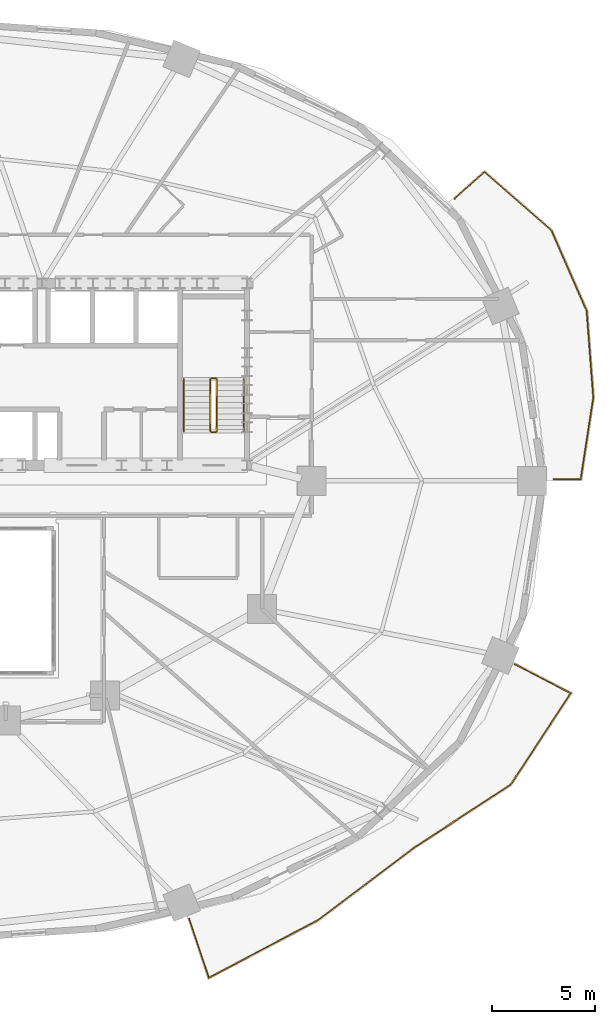
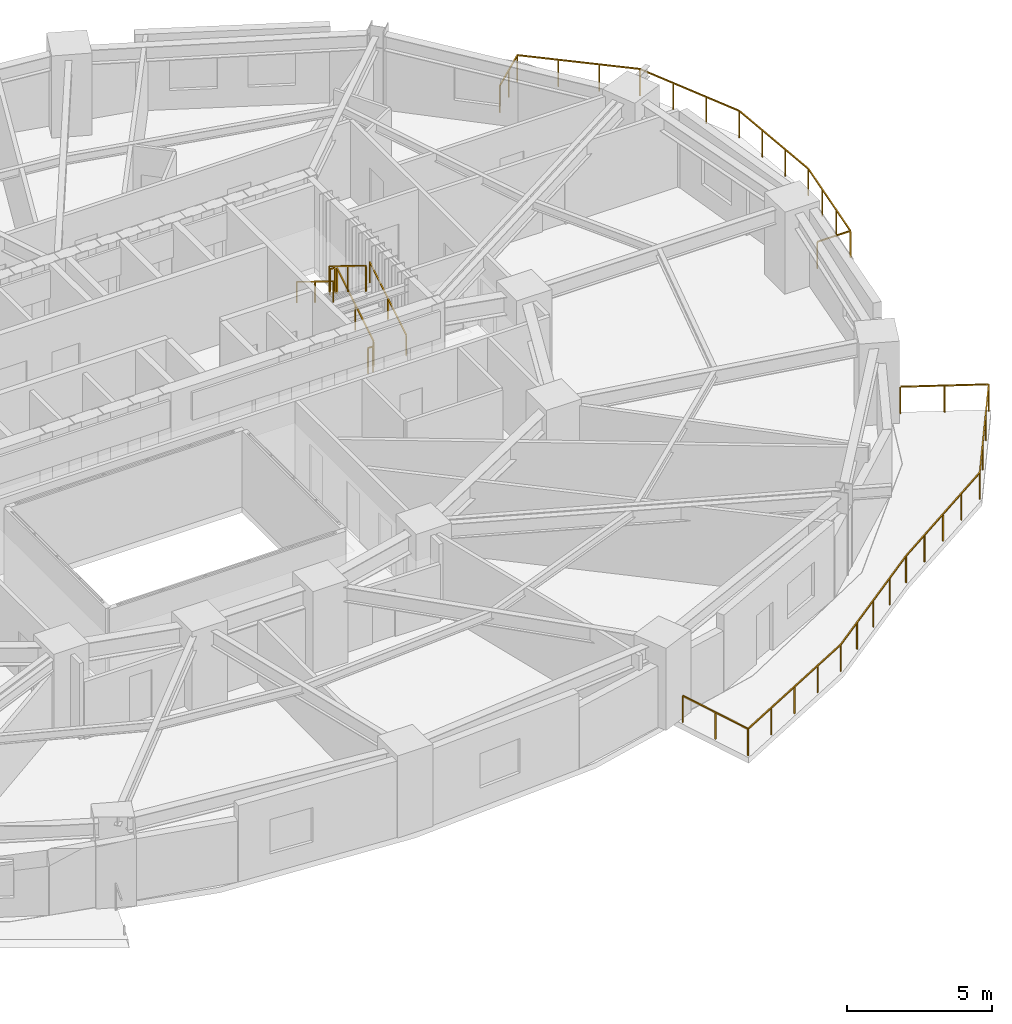
# One storey, part 15 of 15: 8 railings.
"""IFC4 building model written with IfcOpenShell, lengths in metres."""

from ifc_helpers import new_model, si_unit, direction, frame, origin, origin_2d, place, context, subcontext, project, spatial, rectangle, extrude, material, type_object, element, save


model = new_model("IFC4")

# Units and contexts
model_context = context("Model", 3, precision=1e-05, world=origin(), true_north=direction((0.0, 1.0)))
body_context = subcontext(model_context, "Body", "Model", "MODEL_VIEW")
ifc_project = project(units=[si_unit("LENGTHUNIT", "METRE"), si_unit("AREAUNIT", "SQUARE_METRE"), si_unit("VOLUMEUNIT", "CUBIC_METRE"), si_unit("PLANEANGLEUNIT", "RADIAN"), si_unit("MASSUNIT", "GRAM", prefix="KILO")], contexts=[model_context])

# Site, building, storey
site_placement = place(None, origin())
site = spatial("IfcSite", under=ifc_project, at=site_placement, CompositionType="ELEMENT")
building_placement = place(site_placement, origin())
building = spatial("IfcBuilding", under=site, at=building_placement, Name="Haldorwick Loom Tower", CompositionType="ELEMENT")
storey_placement = place(building_placement, frame((0.0, 0.0, 92.14990234375)))
storey = spatial("IfcBuildingStorey", under=building, at=storey_placement, Name="L24", CompositionType="ELEMENT", Elevation=92.14990234375)

# Railings
ifc_material_1 = material(Name="Galvanized Steel CSA G40.21 350W", Category="steel")
railing_type_1 = type_object("IfcRailingType", Name="ARC-RLG-BAL115", PredefinedType="BALUSTRADE", material=ifc_material_1)
railing_1_placement = place(storey_placement, frame((63.02685546875, 17.119384765625, 0.0)))
element("IfcRailing", 1, at=railing_1_placement, inside=storey, type_object=railing_type_1, Name="L24 Outdoor Terrace Guardrail SLB-L24-BAL_SE-1", PredefinedType="BALUSTRADE", context=body_context, shape_type="SweptSolid", body=[
    extrude(rectangle(XDim=0.048095703125, YDim=0.048095703125, at=origin_2d()), frame((0.0, 0.0, 1.1259765625), z_axis=(0.888432989671, -0.459006342945, 0.0), x_axis=(0.459006342945, 0.888432989671, 0.0)), (0.0, 0.0, 1.0), 3.045654296875),
    extrude(rectangle(XDim=0.048095703125, YDim=0.048095703125, at=origin_2d()), frame((2.705810546875, -1.39794921875, 1.1259765625), z_axis=(-0.549470137469, -0.835513355985, 0.0), x_axis=(0.835513355985, -0.549470137469, 0.0)), (0.0, 0.0, 1.0), 5.30029296875),
    extrude(rectangle(XDim=0.048095703125, YDim=0.048095703125, at=origin_2d()), frame((-0.20654296875, -5.826416015625, 1.1259765625), z_axis=(-0.837736975185, -0.546073951409, 0.0), x_axis=(0.546073951409, -0.837736975185, 0.0)), (0.0, 0.0, 1.0), 5.610107421875),
    extrude(rectangle(XDim=0.048095703125, YDim=0.048095703125, at=origin_2d()), frame((-4.90625, -8.889892578125, 1.1259765625), z_axis=(-0.82530726125, -0.564683915592, 0.0), x_axis=(0.564683915592, -0.82530726125, 0.0)), (0.0, 0.0, 1.0), 0.005615234375),
    extrude(rectangle(XDim=0.048095703125, YDim=0.048095703125, at=origin_2d()), frame((-4.910888671875, -8.89306640625, 1.1259765625), z_axis=(-0.797500988001, -0.603317639504, 0.0), x_axis=(0.603317639504, -0.797500988001, 0.0)), (0.0, 0.0, 1.0), 5.772216796875),
    extrude(rectangle(XDim=0.048095703125, YDim=0.048095703125, at=origin_2d()), frame((-9.51416015625, -12.37548828125, 1.1259765625), z_axis=(-0.884874827722, -0.465828873369, 0.0), x_axis=(0.465828873369, -0.884874827722, 0.0)), (0.0, 0.0, 1.0), 5.98046875),
    extrude(rectangle(XDim=0.048095703125, YDim=0.048095703125, at=origin_2d()), frame((-14.80615234375, -15.161376953125, 1.1259765625), z_axis=(-0.316447343212, 0.948610077415, 0.0), x_axis=(-0.948610077415, -0.316447343212, 0.0)), (0.0, 0.0, 1.0), 3.001953125),
    extrude(rectangle(XDim=0.0419921875, YDim=0.0419921875, at=origin_2d()), origin(), (0.0, 0.0, 1.0), 1.101806640625),
    extrude(rectangle(XDim=0.0419921875, YDim=0.0419921875, at=origin_2d()), frame((1.35302734375, -0.698974609375, 0.0)), (0.0, 0.0, 1.0), 1.101806640625),
    extrude(rectangle(XDim=0.0419921875, YDim=0.0419921875, at=origin_2d()), frame((2.705810546875, -1.39794921875, 0.0)), (0.0, 0.0, 1.0), 1.101806640625),
    extrude(rectangle(XDim=0.0419921875, YDim=0.0419921875, at=origin_2d()), frame((1.735107421875, -2.8740234375, 0.0)), (0.0, 0.0, 1.0), 1.101806640625),
    extrude(rectangle(XDim=0.0419921875, YDim=0.0419921875, at=origin_2d()), frame((0.76416015625, -4.350341796875, 0.0)), (0.0, 0.0, 1.0), 1.101806640625),
    extrude(rectangle(XDim=0.0419921875, YDim=0.0419921875, at=origin_2d()), frame((-0.20654296875, -5.826416015625, 0.0)), (0.0, 0.0, 1.0), 1.101806640625),
    extrude(rectangle(XDim=0.0419921875, YDim=0.0419921875, at=origin_2d()), frame((-1.38134765625, -6.59228515625, 0.0)), (0.0, 0.0, 1.0), 1.101806640625),
    extrude(rectangle(XDim=0.0419921875, YDim=0.0419921875, at=origin_2d()), frame((-2.556396484375, -7.358154296875, 0.0)), (0.0, 0.0, 1.0), 1.101806640625),
    extrude(rectangle(XDim=0.0419921875, YDim=0.0419921875, at=origin_2d()), frame((-3.7314453125, -8.1240234375, 0.0)), (0.0, 0.0, 1.0), 1.101806640625),
    extrude(rectangle(XDim=0.0419921875, YDim=0.0419921875, at=origin_2d()), frame((-4.90625, -8.889892578125, 0.0)), (0.0, 0.0, 1.0), 1.101806640625),
    extrude(rectangle(XDim=0.0419921875, YDim=0.0419921875, at=origin_2d()), frame((-6.061767578125, -9.763671875, 0.0)), (0.0, 0.0, 1.0), 1.101806640625),
    extrude(rectangle(XDim=0.0419921875, YDim=0.0419921875, at=origin_2d()), frame((-7.21240234375, -10.63427734375, 0.0)), (0.0, 0.0, 1.0), 1.101806640625),
    extrude(rectangle(XDim=0.0419921875, YDim=0.0419921875, at=origin_2d()), frame((-8.36328125, -11.5048828125, 0.0)), (0.0, 0.0, 1.0), 1.101806640625),
    extrude(rectangle(XDim=0.0419921875, YDim=0.0419921875, at=origin_2d()), frame((-9.51416015625, -12.37548828125, 0.0)), (0.0, 0.0, 1.0), 1.101806640625),
    extrude(rectangle(XDim=0.0419921875, YDim=0.0419921875, at=origin_2d()), frame((-10.837158203125, -13.072021484375, 0.0)), (0.0, 0.0, 1.0), 1.101806640625),
    extrude(rectangle(XDim=0.0419921875, YDim=0.0419921875, at=origin_2d()), frame((-12.16015625, -13.7685546875, 0.0)), (0.0, 0.0, 1.0), 1.101806640625),
    extrude(rectangle(XDim=0.0419921875, YDim=0.0419921875, at=origin_2d()), frame((-13.483154296875, -14.46484375, 0.0)), (0.0, 0.0, 1.0), 1.101806640625),
    extrude(rectangle(XDim=0.0419921875, YDim=0.0419921875, at=origin_2d()), frame((-14.80615234375, -15.161376953125, 0.0)), (0.0, 0.0, 1.0), 1.101806640625),
    extrude(rectangle(XDim=0.0419921875, YDim=0.0419921875, at=origin_2d()), frame((-15.28125, -13.737548828125, 0.0)), (0.0, 0.0, 1.0), 1.101806640625),
    extrude(rectangle(XDim=0.0419921875, YDim=0.0419921875, at=origin_2d()), frame((-15.756103515625, -12.313720703125, 0.0)), (0.0, 0.0, 1.0), 1.101806640625),
])
railing_2_placement = place(storey_placement, frame((60.1171875, 39.655029296875, 0.0)))
element("IfcRailing", 2, at=railing_2_placement, inside=storey, type_object=railing_type_1, Name="L24 Outdoor Terrace Guardrail SLB-L24-BAL_ENE-1", PredefinedType="BALUSTRADE", context=body_context, shape_type="SweptSolid", body=[
    extrude(rectangle(XDim=0.048095703125, YDim=0.048095703125, at=origin_2d()), frame((0.0, 0.0, 1.1259765625), z_axis=(0.74583472126, 0.666131044588, 0.0), x_axis=(-0.666131044588, 0.74583472126, 0.0)), (0.0, 0.0, 1.0), 1.935791015625),
    extrude(rectangle(XDim=0.048095703125, YDim=0.048095703125, at=origin_2d()), frame((1.44384765625, 1.28955078125, 1.1259765625), z_axis=(0.75295646982, -0.658070326451, 0.0), x_axis=(0.658070326451, 0.75295646982, 0.0)), (0.0, 0.0, 1.0), 4.299560546875),
    extrude(rectangle(XDim=0.048095703125, YDim=0.048095703125, at=origin_2d()), frame((4.68115234375, -1.539794921875, 1.1259765625), z_axis=(0.401663187, -0.915787466724, 0.0), x_axis=(0.915787466724, 0.401663187, 0.0)), (0.0, 0.0, 1.0), 4.246337890625),
    extrude(rectangle(XDim=0.048095703125, YDim=0.048095703125, at=origin_2d()), frame((6.38671875, -5.428466796875, 1.1259765625), z_axis=(0.076093306203, -0.997100701409, 0.0), x_axis=(0.997100701409, 0.076093306203, 0.0)), (0.0, 0.0, 1.0), 4.20947265625),
    extrude(rectangle(XDim=0.048095703125, YDim=0.048095703125, at=origin_2d()), frame((6.70703125, -9.625732421875, 1.1259765625), z_axis=(-0.152318878826, -0.988331401481, 0.0), x_axis=(0.988331401481, -0.152318878826, 0.0)), (0.0, 0.0, 1.0), 3.995849609375),
    extrude(rectangle(XDim=0.048095703125, YDim=0.048095703125, at=origin_2d()), frame((6.098388671875, -13.574951171875, 1.1259765625), z_axis=(-1.0, 0.0, 0.0), x_axis=(0.0, -1.0, 0.0)), (0.0, 0.0, 1.0), 1.314697265625),
    extrude(rectangle(XDim=0.0419921875, YDim=0.0419921875, at=origin_2d()), origin(), (0.0, 0.0, 1.0), 1.101806640625),
    extrude(rectangle(XDim=0.0419921875, YDim=0.0419921875, at=origin_2d()), frame((0.721923828125, 0.644775390625, 0.0)), (0.0, 0.0, 1.0), 1.101806640625),
    extrude(rectangle(XDim=0.0419921875, YDim=0.0419921875, at=origin_2d()), frame((1.44384765625, 1.28955078125, 0.0)), (0.0, 0.0, 1.0), 1.101806640625),
    extrude(rectangle(XDim=0.0419921875, YDim=0.0419921875, at=origin_2d()), frame((2.52294921875, 0.346435546875, 0.0)), (0.0, 0.0, 1.0), 1.101806640625),
    extrude(rectangle(XDim=0.0419921875, YDim=0.0419921875, at=origin_2d()), frame((3.60205078125, -0.5966796875, 0.0)), (0.0, 0.0, 1.0), 1.101806640625),
    extrude(rectangle(XDim=0.0419921875, YDim=0.0419921875, at=origin_2d()), frame((4.68115234375, -1.539794921875, 0.0)), (0.0, 0.0, 1.0), 1.101806640625),
    extrude(rectangle(XDim=0.0419921875, YDim=0.0419921875, at=origin_2d()), frame((5.249755859375, -2.8359375, 0.0)), (0.0, 0.0, 1.0), 1.101806640625),
    extrude(rectangle(XDim=0.0419921875, YDim=0.0419921875, at=origin_2d()), frame((5.818115234375, -4.13232421875, 0.0)), (0.0, 0.0, 1.0), 1.101806640625),
    extrude(rectangle(XDim=0.0419921875, YDim=0.0419921875, at=origin_2d()), frame((6.38671875, -5.428466796875, 0.0)), (0.0, 0.0, 1.0), 1.101806640625),
    extrude(rectangle(XDim=0.0419921875, YDim=0.0419921875, at=origin_2d()), frame((6.493408203125, -6.82763671875, 0.0)), (0.0, 0.0, 1.0), 1.101806640625),
    extrude(rectangle(XDim=0.0419921875, YDim=0.0419921875, at=origin_2d()), frame((6.600341796875, -8.2265625, 0.0)), (0.0, 0.0, 1.0), 1.101806640625),
    extrude(rectangle(XDim=0.0419921875, YDim=0.0419921875, at=origin_2d()), frame((6.70703125, -9.625732421875, 0.0)), (0.0, 0.0, 1.0), 1.101806640625),
    extrude(rectangle(XDim=0.0419921875, YDim=0.0419921875, at=origin_2d()), frame((6.504150390625, -10.942138671875, 0.0)), (0.0, 0.0, 1.0), 1.101806640625),
    extrude(rectangle(XDim=0.0419921875, YDim=0.0419921875, at=origin_2d()), frame((6.30126953125, -12.258544921875, 0.0)), (0.0, 0.0, 1.0), 1.101806640625),
    extrude(rectangle(XDim=0.0419921875, YDim=0.0419921875, at=origin_2d()), frame((6.098388671875, -13.574951171875, 0.0)), (0.0, 0.0, 1.0), 1.101806640625),
    extrude(rectangle(XDim=0.0419921875, YDim=0.0419921875, at=origin_2d()), frame((4.78369140625, -13.574951171875, 0.0)), (0.0, 0.0, 1.0), 1.101806640625),
])
ifc_material_2 = material(Name="Steel CSA G40.21 350W", Category="steel")
railing_type_2 = type_object("IfcRailingType", Name="ARC-RLG-GUARD112", PredefinedType="GUARDRAIL", material=ifc_material_2)
railing_3_placement = place(storey_placement, frame((48.60009765625, 28.39990234375, 0.172607421875)))
element("IfcRailing", 3, at=railing_3_placement, inside=storey, type_object=railing_type_2, Name="L24 ST-02 stair guard 1", PredefinedType="GUARDRAIL", context=body_context, shape_type="SweptSolid", body=[
    extrude(rectangle(XDim=0.048095703125, YDim=0.048095703125, at=origin_2d()), frame((0.0, 0.0, 1.076171875), z_axis=(0.0, 0.851400495292, 0.524516154772), x_axis=(-1.0, 0.0, 0.0)), (0.0, 0.0, 1.0), 2.9599609375),
    extrude(rectangle(XDim=0.0419921875, YDim=0.0419921875, at=origin_2d()), origin(), (0.0, 0.0, 1.0), 1.052001953125),
    extrude(rectangle(XDim=0.0419921875, YDim=0.0419921875, at=origin_2d()), frame((0.0, 1.260009765625, 0.7763671875)), (0.0, 0.0, 1.0), 1.052001953125),
    extrude(rectangle(XDim=0.0419921875, YDim=0.0419921875, at=origin_2d()), frame((0.0, 2.52001953125, 1.552490234375)), (0.0, 0.0, 1.0), 1.052001953125),
])
railing_4_placement = place(storey_placement, frame((48.550048828125, 30.969970703125, 1.72509765625)))
element("IfcRailing", 4, at=railing_4_placement, inside=storey, type_object=railing_type_2, Name="L24 ST-02 stair guard 2", PredefinedType="GUARDRAIL", context=body_context, shape_type="SweptSolid", body=[
    extrude(rectangle(XDim=0.048095703125, YDim=0.048095703125, at=origin_2d()), frame((0.0, 0.0, 1.076171875), z_axis=(-1.0, 0.0, 0.0), x_axis=(0.0, -1.0, 0.0)), (0.0, 0.0, 1.0), 0.199951171875),
    extrude(rectangle(XDim=0.0419921875, YDim=0.0419921875, at=origin_2d()), origin(), (0.0, 0.0, 1.0), 1.052001953125),
    extrude(rectangle(XDim=0.0419921875, YDim=0.0419921875, at=origin_2d()), frame((-0.199951171875, 0.0, 0.0)), (0.0, 0.0, 1.0), 1.052001953125),
])
railing_5_placement = place(storey_placement, frame((48.300048828125, 30.919921875, 1.897705078125)))
element("IfcRailing", 5, at=railing_5_placement, inside=storey, type_object=railing_type_2, Name="L24 ST-02 stair guard 3", PredefinedType="GUARDRAIL", context=body_context, shape_type="SweptSolid", body=[
    extrude(rectangle(XDim=0.048095703125, YDim=0.048095703125, at=origin_2d()), frame((0.0, 0.0, 1.076171875), z_axis=(0.0, -0.851400495292, 0.524516154772), x_axis=(1.0, 0.0, 0.0)), (0.0, 0.0, 1.0), 2.9599609375),
    extrude(rectangle(XDim=0.0419921875, YDim=0.0419921875, at=origin_2d()), origin(), (0.0, 0.0, 1.0), 1.052001953125),
    extrude(rectangle(XDim=0.0419921875, YDim=0.0419921875, at=origin_2d()), frame((0.0, -1.260009765625, 0.7763671875)), (0.0, 0.0, 1.0), 1.052001953125),
    extrude(rectangle(XDim=0.0419921875, YDim=0.0419921875, at=origin_2d()), frame((0.0, -2.52001953125, 1.552490234375)), (0.0, 0.0, 1.0), 1.052001953125),
])
railing_6_placement = place(storey_placement, frame((48.550048828125, 28.35009765625, 0.0)))
element("IfcRailing", 6, at=railing_6_placement, inside=storey, type_object=railing_type_2, Name="L24 ST-02 stair guard 4", PredefinedType="GUARDRAIL", context=body_context, shape_type="SweptSolid", body=[
    extrude(rectangle(XDim=0.048095703125, YDim=0.048095703125, at=origin_2d()), frame((0.0, 0.0, 1.076171875), z_axis=(-1.0, 0.0, 0.0), x_axis=(0.0, -1.0, 0.0)), (0.0, 0.0, 1.0), 0.199951171875),
    extrude(rectangle(XDim=0.0419921875, YDim=0.0419921875, at=origin_2d()), origin(), (0.0, 0.0, 1.0), 1.052001953125),
    extrude(rectangle(XDim=0.0419921875, YDim=0.0419921875, at=origin_2d()), frame((-0.199951171875, 0.0, 0.0)), (0.0, 0.0, 1.0), 1.052001953125),
])
railing_type_3 = type_object("IfcRailingType", Name="ARC-RLG-HAND092", PredefinedType="HANDRAIL", material=ifc_material_2)
railing_7_placement = place(storey_placement, frame((49.89990234375, 28.39990234375, 0.172607421875)))
element("IfcRailing", 7, at=railing_7_placement, inside=storey, type_object=railing_type_3, Name="L24 ST-02 stair handrail 1", PredefinedType="HANDRAIL", context=body_context, shape_type="SweptSolid", body=[
    extrude(rectangle(XDim=0.048095703125, YDim=0.048095703125, at=origin_2d()), frame((0.0, 0.0, 0.8759765625), z_axis=(0.0, 0.851400495292, 0.524516154772), x_axis=(-1.0, 0.0, 0.0)), (0.0, 0.0, 1.0), 2.9599609375),
    extrude(rectangle(XDim=0.0419921875, YDim=0.0419921875, at=origin_2d()), origin(), (0.0, 0.0, 1.0), 0.851806640625),
    extrude(rectangle(XDim=0.0419921875, YDim=0.0419921875, at=origin_2d()), frame((0.0, 1.260009765625, 0.7763671875)), (0.0, 0.0, 1.0), 0.851806640625),
    extrude(rectangle(XDim=0.0419921875, YDim=0.0419921875, at=origin_2d()), frame((0.0, 2.52001953125, 1.552490234375)), (0.0, 0.0, 1.0), 0.851806640625),
])
railing_8_placement = place(storey_placement, frame((47.0, 30.919921875, 1.897705078125)))
element("IfcRailing", 8, at=railing_8_placement, inside=storey, type_object=railing_type_3, Name="L24 ST-02 stair handrail 2", PredefinedType="HANDRAIL", context=body_context, shape_type="SweptSolid", body=[
    extrude(rectangle(XDim=0.048095703125, YDim=0.048095703125, at=origin_2d()), frame((0.0, 0.0, 0.8759765625), z_axis=(0.0, -0.851400495292, 0.524516154772), x_axis=(1.0, 0.0, 0.0)), (0.0, 0.0, 1.0), 2.9599609375),
    extrude(rectangle(XDim=0.0419921875, YDim=0.0419921875, at=origin_2d()), origin(), (0.0, 0.0, 1.0), 0.851806640625),
    extrude(rectangle(XDim=0.0419921875, YDim=0.0419921875, at=origin_2d()), frame((0.0, -1.260009765625, 0.7763671875)), (0.0, 0.0, 1.0), 0.851806640625),
    extrude(rectangle(XDim=0.0419921875, YDim=0.0419921875, at=origin_2d()), frame((0.0, -2.52001953125, 1.552490234375)), (0.0, 0.0, 1.0), 0.851806640625),
])

save(model, "model.ifc")
